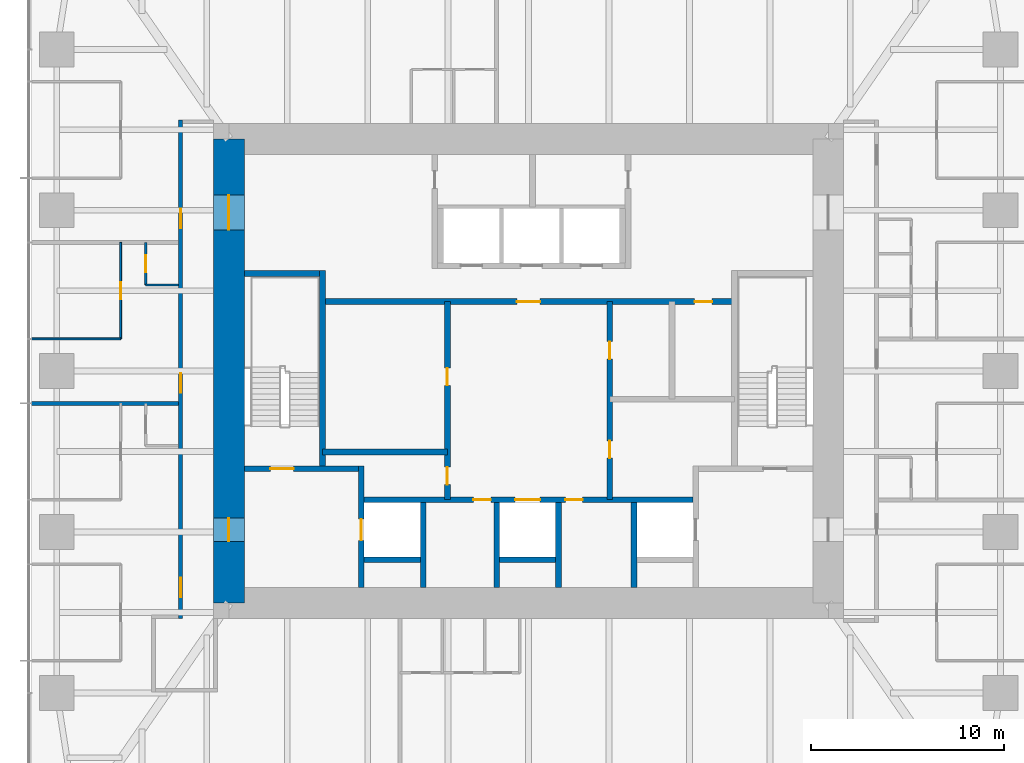
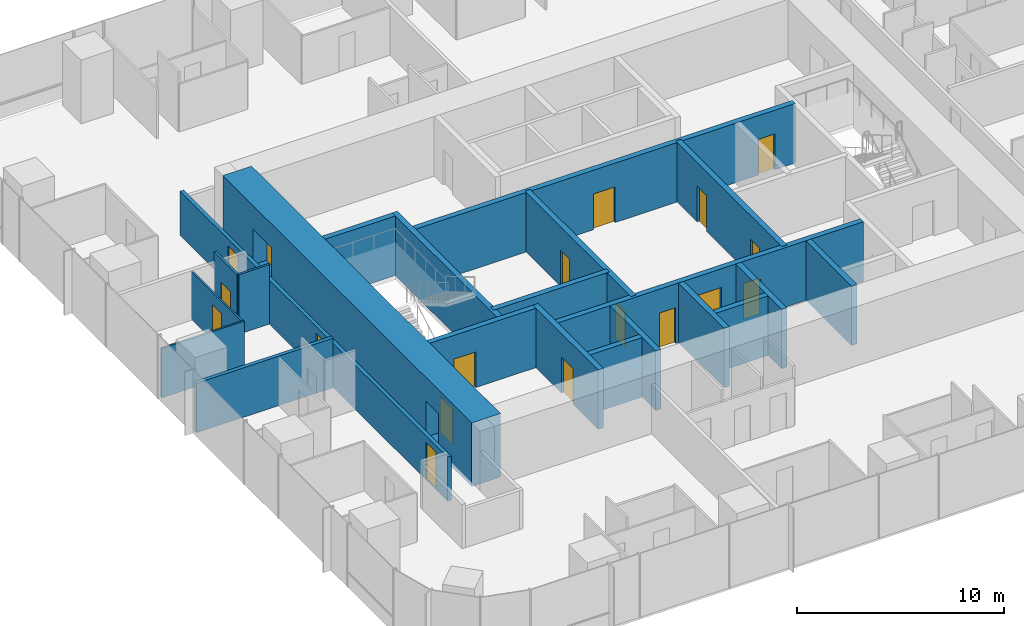
# One storey, part 9 of 13: 22 walls, 18 doors, 18 openings.
"""IFC4 building model written with IfcOpenShell, lengths in metres."""

import ifcopenshell
import ifcopenshell.guid

model = None  # the IFC model being written
_history = None  # IfcOwnerHistory: only IFC2X3 demands one
_inside = {}  # id of a spatial element -> (the spatial element, [elements in it])
_under = {}  # id of a project, library or spatial element -> (it, [spatial elements below it])
_declared = {}  # id of a project -> (the project, [libraries it declares])
_typed = {}  # id of a type object -> (the type object, [elements of that type])
_made_of = {}  # id of a material, layer set ... -> (it, [elements and type objects made of it])


def new_model(schema):
    """Start an empty IFC model of exactly this schema.

    Asked for "IFC4X3", IfcOpenShell would pick the latest addendum, in which some entities
    have other attributes; the version numbers below select the first issue.
    IFC2X3 requires an IfcOwnerHistory on every rooted entity: one is made here for all.
    """
    global model, _history
    if schema == "IFC4X3":
        model = ifcopenshell.file(schema_version=(4, 3, 0, 0))
    else:
        model = ifcopenshell.file(schema=schema)
    _inside.clear()
    _under.clear()
    _declared.clear()
    _typed.clear()
    _made_of.clear()
    _history = None
    if model.schema == "IFC2X3":
        org = make("IfcOrganization", Name="unknown")
        user = make(
            "IfcPersonAndOrganization",
            ThePerson=make("IfcPerson", FamilyName="unknown"),
            TheOrganization=org,
        )
        app = make(
            "IfcApplication",
            ApplicationDeveloper=org,
            Version="unknown",
            ApplicationFullName="unknown",
            ApplicationIdentifier="unknown",
        )
        _history = make(
            "IfcOwnerHistory",
            OwningUser=user,
            OwningApplication=app,
            ChangeAction="ADDED",
            CreationDate=0,
        )
    return model


def make(cls, **values):
    """One entity of the class cls with the attributes given. An attribute that is None is left unset."""
    return model.create_entity(
        cls, **{name: value for name, value in values.items() if value is not None}
    )


def rooted(cls, **values):
    """An entity with a GlobalId (a new one), such as an element, a storey or a relation."""
    return make(cls, GlobalId=ifcopenshell.guid.new(), OwnerHistory=_history, **values)


def si_unit(unit_type, name, prefix=None):
    """IfcSIUnit, for example si_unit("LENGTHUNIT", "METRE", prefix="MILLI")."""
    return make("IfcSIUnit", UnitType=unit_type, Prefix=prefix, Name=name)


def assignment(units):
    """IfcUnitAssignment: the units of a project."""
    return None if units is None else make("IfcUnitAssignment", Units=units)


def point(xyz):
    """IfcCartesianPoint."""
    return None if xyz is None else make("IfcCartesianPoint", Coordinates=xyz)


def direction(xyz):
    """IfcDirection."""
    return None if xyz is None else make("IfcDirection", DirectionRatios=xyz)


def frame(location, z_axis=None, x_axis=None):
    """IfcAxis2Placement3D, a coordinate frame: its origin and axes. An axis left out is left unset."""
    return make(
        "IfcAxis2Placement3D",
        Location=point(location),
        Axis=direction(z_axis),
        RefDirection=direction(x_axis),
    )


def frame_2d(location, x_axis=None):
    """IfcAxis2Placement2D, a coordinate frame in the plane: its origin and x axis."""
    return make(
        "IfcAxis2Placement2D", Location=point(location), RefDirection=direction(x_axis)
    )


def origin():
    """The frame at (0, 0, 0) with its axes left unset."""
    return frame((0.0, 0.0, 0.0))


def place(relative_to, where):
    """IfcLocalPlacement: puts the frame where relative to a parent placement (None: the world)."""
    return make(
        "IfcLocalPlacement", PlacementRelTo=relative_to, RelativePlacement=where
    )


def context(
    kind, dimensions, precision=None, world=None, true_north=None, identifier=None
):
    """IfcGeometricRepresentationContext, for example the 3D "Model" context."""
    return make(
        "IfcGeometricRepresentationContext",
        ContextIdentifier=identifier,
        ContextType=kind,
        CoordinateSpaceDimension=dimensions,
        Precision=precision,
        WorldCoordinateSystem=world,
        TrueNorth=true_north,
    )


def subcontext(parent, identifier, kind, view, scale=None):
    """IfcGeometricRepresentationSubContext, for example "Body" below "Model"."""
    return make(
        "IfcGeometricRepresentationSubContext",
        ContextIdentifier=identifier,
        ContextType=kind,
        ParentContext=parent,
        TargetScale=scale,
        TargetView=view,
    )


def project(units=None, contexts=None):
    """IfcProject with its units and contexts."""
    return rooted(
        "IfcProject",
        Name="project",
        RepresentationContexts=contexts,
        UnitsInContext=assignment(units),
    )


def spatial(cls, under=None, at=None, **own):
    """A site, building, storey or space (cls), placed at a placement, below another one or the project."""
    s = rooted(cls, ObjectPlacement=at, **own)
    if under is not None:
        _under.setdefault(under.id(), (under, []))[1].append(s)
    return s


def profile(cls, at=None, kind="AREA", **sizes):
    """A parametric profile (cls). Its sizes go by their IFC names, for example OverallWidth=200.0."""
    return make(cls, ProfileType=kind, Position=at, **sizes)


def rectangle(**sizes):
    """IfcRectangleProfileDef."""
    return profile("IfcRectangleProfileDef", **sizes)


def extrude(swept, where, along, depth):
    """IfcExtrudedAreaSolid: the profile swept, set in the frame where, extruded along a direction by depth."""
    return make(
        "IfcExtrudedAreaSolid",
        SweptArea=swept,
        Position=where,
        ExtrudedDirection=direction(along),
        Depth=depth,
    )


def shape(context_of_items, identifier, shape_type, items):
    """IfcShapeRepresentation: the items that make up one representation, for example the "Body"."""
    return make(
        "IfcShapeRepresentation",
        ContextOfItems=context_of_items,
        RepresentationIdentifier=identifier,
        RepresentationType=shape_type,
        Items=items,
    )


def material(Name=None, Category=None):
    """IfcMaterial."""
    return make("IfcMaterial", Name=Name, Category=Category)


def layer(
    of_material, thickness, ventilated=None, Name=None, Category=None, Priority=None
):
    """IfcMaterialLayer: one layer of a wall or slab, of a material (None: an air gap)."""
    return make(
        "IfcMaterialLayer",
        Material=of_material,
        LayerThickness=thickness,
        IsVentilated=ventilated,
        Name=Name,
        Category=Category,
        Priority=Priority,
    )


def layer_set(layers, Name=None):
    """IfcMaterialLayerSet."""
    return make("IfcMaterialLayerSet", MaterialLayers=layers, LayerSetName=Name)


def made_of(thing, what):
    """Note that an element or type object is made of a material, layer set ...; save() writes the relation."""
    if what is not None:
        _made_of.setdefault(what.id(), (what, []))[1].append(thing)
    return thing


def type_object(cls, material=None, **own):
    """A type object (cls), such as IfcWallType, which elements share."""
    return made_of(rooted(cls, **own), material)


def element(
    cls,
    number,
    at=None,
    inside=None,
    cuts=None,
    type_object=None,
    material=None,
    context=None,
    identifier="Body",
    shape_type=None,
    held_by="IfcProductDefinitionShape",
    body=None,
    shapes=None,
    **own,
):
    """One element of the class cls, such as IfcWall. Its Tag is "e" and its number.

    at: its placement. inside: the storey or other place that contains it. cuts: it is an
    opening in that element (IfcRelVoidsElement). A single representation is given by context,
    identifier, shape_type and body (its items); several are given by shapes. held_by: the class
    of the entity that holds the representations. save() writes the other relations.
    """
    e = rooted(cls, Tag="e%d" % number, ObjectPlacement=at, **own)
    if body is not None:
        shapes = [shape(context, identifier, shape_type, body)]
    if shapes is not None:
        e.Representation = make(held_by, Representations=shapes)
    if inside is not None:
        _inside.setdefault(inside.id(), (inside, []))[1].append(e)
    if cuts is not None:
        rooted(
            "IfcRelVoidsElement", RelatingBuildingElement=cuts, RelatedOpeningElement=e
        )
    if type_object is not None:
        _typed.setdefault(type_object.id(), (type_object, []))[1].append(e)
    return made_of(e, material)


def fill(opening, filler):
    """IfcRelFillsElement: the door or window that sits in an opening."""
    return rooted(
        "IfcRelFillsElement",
        RelatingOpeningElement=opening,
        RelatedBuildingElement=filler,
    )


def aggregate(whole, parts):
    """IfcRelAggregates: a whole, such as a stair, and the parts it consists of."""
    return rooted("IfcRelAggregates", RelatingObject=whole, RelatedObjects=parts)


def save(model, path):
    """Write the relations noted so far, then the file.

    IfcRelAggregates (storeys below a building ...), IfcRelContainedInSpatialStructure (elements
    in a storey), IfcRelDefinesByType, IfcRelAssociatesMaterial and IfcRelDeclares: one each for
    every whole, place, type object, material and project.
    """
    for whole, parts in _under.values():
        aggregate(whole, parts)
    for where, things in _inside.values():
        rooted(
            "IfcRelContainedInSpatialStructure",
            RelatedElements=things,
            RelatingStructure=where,
        )
    for kind, things in _typed.values():
        rooted("IfcRelDefinesByType", RelatedObjects=things, RelatingType=kind)
    for what, things in _made_of.values():
        rooted("IfcRelAssociatesMaterial", RelatedObjects=things, RelatingMaterial=what)
    for by, libraries in _declared.values():
        rooted("IfcRelDeclares", RelatingContext=by, RelatedDefinitions=libraries)
    model.write(path)


model = new_model("IFC4")

# Units and contexts
model_context = context("Model", 3, precision=1e-05, world=origin(), true_north=direction((0.0, 1.0)))
body_context = subcontext(model_context, "Body", "Model", "MODEL_VIEW")
ifc_project = project(units=[si_unit("LENGTHUNIT", "METRE"), si_unit("AREAUNIT", "SQUARE_METRE"), si_unit("VOLUMEUNIT", "CUBIC_METRE"), si_unit("PLANEANGLEUNIT", "RADIAN"), si_unit("MASSUNIT", "GRAM", prefix="KILO")], contexts=[model_context])

# Site, building, storey
site_placement = place(None, origin())
site = spatial("IfcSite", under=ifc_project, at=site_placement, CompositionType="ELEMENT")
building_placement = place(site_placement, origin())
building = spatial("IfcBuilding", under=site, at=building_placement, Name="Khuree Lantern Residences", CompositionType="ELEMENT")
storey_placement = place(building_placement, frame((0.0, 0.0, 259.5)))
storey = spatial("IfcBuildingStorey", under=building, at=storey_placement, Name="L65", CompositionType="ELEMENT", Elevation=259.5)

# Wall, opening, door
ifc_material_1 = material(Name="Moisture-resistant gypsum board on steel studs", Category="steel")
ifc_layer_1 = layer(ifc_material_1, 0.125)
ifc_layer_set_1 = layer_set([ifc_layer_1], Name="BATHROOM WALL BTW125")
wall_type_1 = type_object("IfcWallType", Name="BATHROOM WALL BTW125", PredefinedType="PARTITIONING", material=ifc_layer_set_1)
wall_1_placement = place(storey_placement, frame((-19.800048828125, 6.656005859375, 0.0), z_axis=(0.0, 0.0, 1.0), x_axis=(0.0, -1.0, 0.0)))
wall_1 = element("IfcWall", 1, at=wall_1_placement, inside=storey, type_object=wall_type_1, Name="L65 BATHROOM WALL 04", PredefinedType="PARTITIONING", context=body_context, shape_type="SweptSolid", body=[
    extrude(rectangle(XDim=2.199951171875, YDim=0.125, at=frame_2d((1.10009765625, 0.0))), origin(), (0.0, 0.0, 1.0), 3.5),
])
opening_1_placement = place(wall_1_placement, frame((0.64990234375, 0.0, 0.0)))
opening_1 = element("IfcOpeningElement", 2, at=opening_1_placement, cuts=wall_1, Name="Opening 65-044", PredefinedType="OPENING", context=body_context, shape_type="SweptSolid", body=[
    extrude(rectangle(XDim=0.89990234375, YDim=2.10009765625, at=frame_2d((0.449951171875, 1.050048828125))), frame((0.0, 0.072509765625, 0.0), z_axis=(0.0, -1.0, 0.0), x_axis=(1.0, 0.0, 0.0)), (0.0, 0.0, 1.0), 0.14501953125),
])
ifc_material_2 = material(Name="Timber door leaf in hardwood frame", Category="wood")
door_type_1 = type_object("IfcDoorType", Name="BATHROOM DOOR 900X2100", OperationType="SINGLE_SWING_LEFT", PredefinedType="DOOR", material=ifc_material_2)
door_1_placement = place(opening_1_placement, origin())
door_1 = element("IfcDoor", 3, at=door_1_placement, inside=storey, type_object=door_type_1, Name="Bathroom door 65-044", OperationType="SINGLE_SWING_LEFT", OverallHeight=2.10009765625, OverallWidth=0.89990234375, PredefinedType="DOOR", context=body_context, shape_type="SweptSolid", body=[
    extrude(rectangle(XDim=0.89990234375, YDim=2.10009765625, at=frame_2d((0.449951171875, 1.050048828125))), frame((0.0, 0.02490234375, 0.0), z_axis=(0.0, -1.0, 0.0), x_axis=(1.0, 0.0, 0.0)), (0.0, 0.0, 1.0), 0.050048828125),
])
fill(opening_1, door_1)

# Wall
wall_2_placement = place(storey_placement, frame((-18.10009765625, 4.4560546875, 0.0), z_axis=(0.0, 0.0, 1.0), x_axis=(-1.0, 0.0, 0.0)))
element("IfcWall", 4, at=wall_2_placement, inside=storey, type_object=wall_type_1, Name="L65 BATHROOM WALL 04", PredefinedType="PARTITIONING", context=body_context, shape_type="SweptSolid", body=[
    extrude(rectangle(XDim=1.699951171875, YDim=0.125, at=frame_2d((0.85009765625, 0.0))), origin(), (0.0, 0.0, 1.0), 3.5),
])

# Wall, opening, door
ifc_material_3 = material(Name="Dense concrete blockwork", Category="masonry")
ifc_layer_2 = layer(ifc_material_3, 0.300048828125)
ifc_layer_set_2 = layer_set([ifc_layer_2], Name="CORE PARTITION WALL CPW300 EI 120")
wall_type_2 = type_object("IfcWallType", Name="CORE PARTITION WALL CPW300 EI 120", PredefinedType="PARTITIONING", material=ifc_layer_set_2)
wall_3_placement = place(storey_placement, frame((-8.64990234375, -11.199951171875, 0.0), z_axis=(0.0, 0.0, 1.0), x_axis=(0.0, 1.0, 0.0)))
wall_3 = element("IfcWall", 5, at=wall_3_placement, inside=storey, type_object=wall_type_2, Name="L65 CORE WALL FL1W", PredefinedType="PARTITIONING", context=body_context, shape_type="SweptSolid", body=[
    extrude(rectangle(XDim=6.300048828125, YDim=0.300048828125, at=frame_2d((3.14990234375, 0.0))), origin(), (0.0, 0.0, 1.0), 3.5),
])
opening_2_placement = place(wall_3_placement, frame((2.449951171875, 0.0, 0.0)))
opening_2 = element("IfcOpeningElement", 6, at=opening_2_placement, cuts=wall_3, Name="Opening 65-007", PredefinedType="OPENING", context=body_context, shape_type="SweptSolid", body=[
    extrude(rectangle(XDim=1.10009765625, YDim=2.10009765625, at=frame_2d((0.550048828125, 1.050048828125))), frame((0.0, 0.16015625, 0.0), z_axis=(0.0, -1.0, 0.0), x_axis=(1.0, 0.0, 0.0)), (0.0, 0.0, 1.0), 0.320068359375),
])
ifc_material_4 = material(Name="Stainless steel lift landing door", Category="steel")
door_type_2 = type_object("IfcDoorType", Name="LIFT LANDING DOOR 1100X2100 E 120", OperationType="DOUBLE_DOOR_SLIDING", PredefinedType="DOOR", material=ifc_material_4)
door_2_placement = place(opening_2_placement, origin())
door_2 = element("IfcDoor", 7, at=door_2_placement, inside=storey, type_object=door_type_2, Name="Landing door FL1 65-007", OperationType="DOUBLE_DOOR_SLIDING", OverallHeight=2.10009765625, OverallWidth=1.10009765625, PredefinedType="DOOR", context=body_context, shape_type="SweptSolid", body=[
    extrude(rectangle(XDim=1.10009765625, YDim=2.10009765625, at=frame_2d((0.550048828125, 1.050048828125))), frame((0.0, 0.02490234375, 0.0), z_axis=(0.0, -1.0, 0.0), x_axis=(1.0, 0.0, 0.0)), (0.0, 0.0, 1.0), 0.050048828125),
])
fill(opening_2, door_2)

# Wall, openings, doors
wall_4_placement = place(storey_placement, frame((-8.5, -6.64990234375, 0.0), z_axis=(0.0, 0.0, 1.0), x_axis=(1.0, 0.0, 0.0)))
wall_4 = element("IfcWall", 8, at=wall_4_placement, inside=storey, type_object=wall_type_2, Name="L65 CORE WALL FLROW", PredefinedType="PARTITIONING", context=body_context, shape_type="SweptSolid", body=[
    extrude(rectangle(XDim=17.0, YDim=0.300048828125, at=frame_2d((8.5, 0.0))), origin(), (0.0, 0.0, 1.0), 3.5),
])
opening_3_placement = place(wall_4_placement, frame((7.800048828125, 0.0, 0.0)))
opening_3 = element("IfcOpeningElement", 9, at=opening_3_placement, cuts=wall_4, Name="Opening 65-012", PredefinedType="OPENING", context=body_context, shape_type="SweptSolid", body=[
    extrude(rectangle(XDim=1.300048828125, YDim=2.39990234375, at=frame_2d((0.64990234375, 1.199951171875))), frame((0.0, 0.16015625, 0.0), z_axis=(0.0, -1.0, 0.0), x_axis=(1.0, 0.0, 0.0)), (0.0, 0.0, 1.0), 0.320068359375),
])
opening_4_placement = place(wall_4_placement, frame((5.64990234375, 0.0, 0.0)))
opening_4 = element("IfcOpeningElement", 10, at=opening_4_placement, cuts=wall_4, Name="Opening 65-014", PredefinedType="OPENING", context=body_context, shape_type="SweptSolid", body=[
    extrude(rectangle(XDim=0.89990234375, YDim=2.10009765625, at=frame_2d((0.449951171875, 1.050048828125))), frame((0.0, 0.16015625, 0.0), z_axis=(0.0, -1.0, 0.0), x_axis=(1.0, 0.0, 0.0)), (0.0, 0.0, 1.0), 0.320068359375),
])
opening_5_placement = place(wall_4_placement, frame((10.39990234375, 0.0, 0.0)))
opening_5 = element("IfcOpeningElement", 11, at=opening_5_placement, cuts=wall_4, Name="Opening 65-015", PredefinedType="OPENING", context=body_context, shape_type="SweptSolid", body=[
    extrude(rectangle(XDim=0.89990234375, YDim=2.10009765625, at=frame_2d((0.449951171875, 1.050048828125))), frame((0.0, 0.16015625, 0.0), z_axis=(0.0, -1.0, 0.0), x_axis=(1.0, 0.0, 0.0)), (0.0, 0.0, 1.0), 0.320068359375),
])
ifc_material_5 = material(Name="Steel door leaf in steel frame", Category="steel")
door_type_3 = type_object("IfcDoorType", Name="DOOR 900X2100 EI 60", OperationType="SINGLE_SWING_LEFT", PredefinedType="DOOR", material=ifc_material_5)
door_3_placement = place(opening_4_placement, origin())
door_3 = element("IfcDoor", 12, at=door_3_placement, inside=storey, type_object=door_type_3, Name="Refuse chute room door 65-014", OperationType="SINGLE_SWING_LEFT", OverallHeight=2.10009765625, OverallWidth=0.89990234375, PredefinedType="DOOR", context=body_context, shape_type="SweptSolid", body=[
    extrude(rectangle(XDim=0.89990234375, YDim=2.10009765625, at=frame_2d((0.449951171875, 1.050048828125))), frame((0.0, 0.02490234375, 0.0), z_axis=(0.0, -1.0, 0.0), x_axis=(1.0, 0.0, 0.0)), (0.0, 0.0, 1.0), 0.050048828125),
])
fill(opening_4, door_3)
door_type_4 = type_object("IfcDoorType", Name="DOOR 900X2100 EI 60 RIGHT HAND", OperationType="SINGLE_SWING_RIGHT", PredefinedType="DOOR", material=ifc_material_5)
door_4_placement = place(opening_5_placement, origin())
door_4 = element("IfcDoor", 13, at=door_4_placement, inside=storey, type_object=door_type_4, Name="Electrical and plumbing riser door 65-015", OperationType="SINGLE_SWING_RIGHT", OverallHeight=2.10009765625, OverallWidth=0.89990234375, PredefinedType="DOOR", context=body_context, shape_type="SweptSolid", body=[
    extrude(rectangle(XDim=0.89990234375, YDim=2.10009765625, at=frame_2d((0.449951171875, 1.050048828125))), frame((0.0, 0.02490234375, 0.0), z_axis=(0.0, -1.0, 0.0), x_axis=(1.0, 0.0, 0.0)), (0.0, 0.0, 1.0), 0.050048828125),
])
fill(opening_5, door_4)
door_type_5 = type_object("IfcDoorType", Name="LIFT LANDING DOOR 1300X2400 E 60", OperationType="DOUBLE_DOOR_SLIDING", PredefinedType="DOOR", material=ifc_material_4)
door_5_placement = place(opening_3_placement, origin())
door_5 = element("IfcDoor", 14, at=door_5_placement, inside=storey, type_object=door_type_5, Name="Landing door SL1 65-012", OperationType="DOUBLE_DOOR_SLIDING", OverallHeight=2.39990234375, OverallWidth=1.300048828125, PredefinedType="DOOR", context=body_context, shape_type="SweptSolid", body=[
    extrude(rectangle(XDim=1.300048828125, YDim=2.39990234375, at=frame_2d((0.64990234375, 1.199951171875))), frame((0.0, 0.02490234375, 0.0), z_axis=(0.0, -1.0, 0.0), x_axis=(1.0, 0.0, 0.0)), (0.0, 0.0, 1.0), 0.050048828125),
])
fill(opening_3, door_5)

# Walls
for number, where, z_axis, x_axis, name in (
    (15, (-5.449951171875, -11.199951171875, 0.0), (0.0, 0.0, 1.0), (0.0, 1.0, 0.0), "L65 CORE WALL FL1E"),
    (16, (-1.64990234375, -11.199951171875, 0.0), (0.0, 0.0, 1.0), (0.0, 1.0, 0.0), "L65 CORE WALL SL1W"),
    (17, (1.550048828125, -11.199951171875, 0.0), (0.0, 0.0, 1.0), (0.0, 1.0, 0.0), "L65 CORE WALL SL1E"),
    (18, (5.449951171875, -11.199951171875, 0.0), (0.0, 0.0, 1.0), (0.0, 1.0, 0.0), "L65 CORE WALL FL2W"),
):
    element("IfcWall", number, at=place(storey_placement, frame(where, z_axis=z_axis, x_axis=x_axis)), inside=storey, type_object=wall_type_2, Name=name, PredefinedType="PARTITIONING", context=body_context, shape_type="SweptSolid", body=[
        extrude(rectangle(XDim=4.39990234375, YDim=0.300048828125, at=frame_2d((2.199951171875, 0.0))), origin(), (0.0, 0.0, 1.0), 3.5),
    ])
for number, where, z_axis, x_axis, name in (
    (19, (-8.5, -9.75, 0.0), (0.0, 0.0, 1.0), (1.0, 0.0, 0.0), "L65 CORE WALL FL1S"),
    (20, (-1.5, -9.75, 0.0), (0.0, 0.0, 1.0), (1.0, 0.0, 0.0), "L65 CORE WALL SL1S"),
):
    element("IfcWall", number, at=place(storey_placement, frame(where, z_axis=z_axis, x_axis=x_axis)), inside=storey, type_object=wall_type_2, Name=name, PredefinedType="PARTITIONING", context=body_context, shape_type="SweptSolid", body=[
        extrude(rectangle(XDim=2.89990234375, YDim=0.300048828125, at=frame_2d((1.449951171875, 0.0))), origin(), (0.0, 0.0, 1.0), 3.5),
    ])

# Wall, openings, doors
wall_5_placement = place(storey_placement, frame((-10.64990234375, 3.60009765625, 0.0), z_axis=(0.0, 0.0, 1.0), x_axis=(1.0, 0.0, 0.0)))
wall_5 = element("IfcWall", 21, at=wall_5_placement, inside=storey, type_object=wall_type_2, Name="L65 CORE WALL LLS", PredefinedType="PARTITIONING", context=body_context, shape_type="SweptSolid", body=[
    extrude(rectangle(XDim=21.2998046875, YDim=0.300048828125, at=frame_2d((10.64990234375, 0.0))), origin(), (0.0, 0.0, 1.0), 3.5),
])
opening_6_placement = place(wall_5_placement, frame((10.050048828125, 0.0, 0.0)))
opening_6 = element("IfcOpeningElement", 22, at=opening_6_placement, cuts=wall_5, Name="Opening 65-013", PredefinedType="OPENING", context=body_context, shape_type="SweptSolid", body=[
    extrude(rectangle(XDim=1.199951171875, YDim=2.10009765625, at=frame_2d((0.60009765625, 1.050048828125))), frame((0.0, 0.16015625, 0.0), z_axis=(0.0, -1.0, 0.0), x_axis=(1.0, 0.0, 0.0)), (0.0, 0.0, 1.0), 0.320068359375),
])
opening_7_placement = place(wall_5_placement, frame((19.238037109375, 0.0, 0.0)))
opening_7 = element("IfcOpeningElement", 23, at=opening_7_placement, cuts=wall_5, Name="Opening 65-020", PredefinedType="OPENING", context=body_context, shape_type="SweptSolid", body=[
    extrude(rectangle(XDim=0.89990234375, YDim=2.10009765625, at=frame_2d((0.449951171875, 1.050048828125))), frame((0.0, 0.16015625, 0.0), z_axis=(0.0, -1.0, 0.0), x_axis=(1.0, 0.0, 0.0)), (0.0, 0.0, 1.0), 0.320068359375),
])
door_type_6 = type_object("IfcDoorType", Name="DOOR 1200X2100 EI 60", OperationType="SINGLE_SWING_LEFT", PredefinedType="DOOR", material=ifc_material_5)
door_6_placement = place(opening_6_placement, origin())
door_6 = element("IfcDoor", 24, at=door_6_placement, inside=storey, type_object=door_type_6, Name="Service lift lobby door 65-013", OperationType="SINGLE_SWING_LEFT", OverallHeight=2.10009765625, OverallWidth=1.199951171875, PredefinedType="DOOR", context=body_context, shape_type="SweptSolid", body=[
    extrude(rectangle(XDim=1.199951171875, YDim=2.10009765625, at=frame_2d((0.60009765625, 1.050048828125))), frame((0.0, 0.02490234375, 0.0), z_axis=(0.0, -1.0, 0.0), x_axis=(1.0, 0.0, 0.0)), (0.0, 0.0, 1.0), 0.050048828125),
])
fill(opening_6, door_6)
door_type_7 = type_object("IfcDoorType", Name="DOOR 900X2100 RIGHT HAND", OperationType="SINGLE_SWING_RIGHT", PredefinedType="DOOR", material=ifc_material_2)
door_7_placement = place(opening_7_placement, origin())
door_7 = element("IfcDoor", 25, at=door_7_placement, inside=storey, type_object=door_type_7, Name="Housekeeping store door 65-020", OperationType="SINGLE_SWING_RIGHT", OverallHeight=2.10009765625, OverallWidth=0.89990234375, PredefinedType="DOOR", context=body_context, shape_type="SweptSolid", body=[
    extrude(rectangle(XDim=0.89990234375, YDim=2.10009765625, at=frame_2d((0.449951171875, 1.050048828125))), frame((0.0, 0.02490234375, 0.0), z_axis=(0.0, -1.0, 0.0), x_axis=(1.0, 0.0, 0.0)), (0.0, 0.0, 1.0), 0.050048828125),
])
fill(opening_7, door_7)

wall_6_placement = place(storey_placement, frame((-4.199951171875, -6.64990234375, 0.0), z_axis=(0.0, 0.0, 1.0), x_axis=(0.0, 1.0, 0.0)))
wall_6 = element("IfcWall", 26, at=wall_6_placement, inside=storey, type_object=wall_type_2, Name="L65 CORE WALL SVW", PredefinedType="PARTITIONING", context=body_context, shape_type="SweptSolid", body=[
    extrude(rectangle(XDim=10.25, YDim=0.300048828125, at=frame_2d((5.125, 0.0))), origin(), (0.0, 0.0, 1.0), 3.5),
])
opening_8_placement = place(wall_6_placement, frame((0.787109375, 0.0, 0.0)))
opening_8 = element("IfcOpeningElement", 27, at=opening_8_placement, cuts=wall_6, Name="Opening 65-016", PredefinedType="OPENING", context=body_context, shape_type="SweptSolid", body=[
    extrude(rectangle(XDim=0.89990234375, YDim=2.10009765625, at=frame_2d((0.449951171875, 1.050048828125))), frame((0.0, 0.16015625, 0.0), z_axis=(0.0, -1.0, 0.0), x_axis=(1.0, 0.0, 0.0)), (0.0, 0.0, 1.0), 0.320068359375),
])
opening_9_placement = place(wall_6_placement, frame((5.912109375, 0.0, 0.0)))
opening_9 = element("IfcOpeningElement", 28, at=opening_9_placement, cuts=wall_6, Name="Opening 65-017", PredefinedType="OPENING", context=body_context, shape_type="SweptSolid", body=[
    extrude(rectangle(XDim=0.89990234375, YDim=2.10009765625, at=frame_2d((0.449951171875, 1.050048828125))), frame((0.0, 0.16015625, 0.0), z_axis=(0.0, -1.0, 0.0), x_axis=(1.0, 0.0, 0.0)), (0.0, 0.0, 1.0), 0.320068359375),
])
door_type_8 = type_object("IfcDoorType", Name="DOOR 900X2100", OperationType="SINGLE_SWING_LEFT", PredefinedType="DOOR", material=ifc_material_2)
door_8_placement = place(opening_8_placement, origin())
door_8 = element("IfcDoor", 29, at=door_8_placement, inside=storey, type_object=door_type_8, Name="Building management room door 65-016", OperationType="SINGLE_SWING_LEFT", OverallHeight=2.10009765625, OverallWidth=0.89990234375, PredefinedType="DOOR", context=body_context, shape_type="SweptSolid", body=[
    extrude(rectangle(XDim=0.89990234375, YDim=2.10009765625, at=frame_2d((0.449951171875, 1.050048828125))), frame((0.0, 0.02490234375, 0.0), z_axis=(0.0, -1.0, 0.0), x_axis=(1.0, 0.0, 0.0)), (0.0, 0.0, 1.0), 0.050048828125),
])
fill(opening_8, door_8)
door_9_placement = place(opening_9_placement, origin())
door_9 = element("IfcDoor", 30, at=door_9_placement, inside=storey, type_object=door_type_8, Name="Residents' store door 65-017", OperationType="SINGLE_SWING_LEFT", OverallHeight=2.10009765625, OverallWidth=0.89990234375, PredefinedType="DOOR", context=body_context, shape_type="SweptSolid", body=[
    extrude(rectangle(XDim=0.89990234375, YDim=2.10009765625, at=frame_2d((0.449951171875, 1.050048828125))), frame((0.0, 0.02490234375, 0.0), z_axis=(0.0, -1.0, 0.0), x_axis=(1.0, 0.0, 0.0)), (0.0, 0.0, 1.0), 0.050048828125),
])
fill(opening_9, door_9)

wall_7_placement = place(storey_placement, frame((4.199951171875, -6.64990234375, 0.0), z_axis=(0.0, 0.0, 1.0), x_axis=(0.0, 1.0, 0.0)))
wall_7 = element("IfcWall", 31, at=wall_7_placement, inside=storey, type_object=wall_type_2, Name="L65 CORE WALL SVE", PredefinedType="PARTITIONING", context=body_context, shape_type="SweptSolid", body=[
    extrude(rectangle(XDim=10.25, YDim=0.300048828125, at=frame_2d((5.125, 0.0))), origin(), (0.0, 0.0, 1.0), 3.5),
])
opening_10_placement = place(wall_7_placement, frame((2.14990234375, 0.0, 0.0)))
opening_10 = element("IfcOpeningElement", 32, at=opening_10_placement, cuts=wall_7, Name="Opening 65-018", PredefinedType="OPENING", context=body_context, shape_type="SweptSolid", body=[
    extrude(rectangle(XDim=0.89990234375, YDim=2.10009765625, at=frame_2d((0.449951171875, 1.050048828125))), frame((0.0, 0.16015625, 0.0), z_axis=(0.0, -1.0, 0.0), x_axis=(1.0, 0.0, 0.0)), (0.0, 0.0, 1.0), 0.320068359375),
])
opening_11_placement = place(wall_7_placement, frame((7.27490234375, 0.0, 0.0)))
opening_11 = element("IfcOpeningElement", 33, at=opening_11_placement, cuts=wall_7, Name="Opening 65-019", PredefinedType="OPENING", context=body_context, shape_type="SweptSolid", body=[
    extrude(rectangle(XDim=0.89990234375, YDim=2.10009765625, at=frame_2d((0.449951171875, 1.050048828125))), frame((0.0, 0.16015625, 0.0), z_axis=(0.0, -1.0, 0.0), x_axis=(1.0, 0.0, 0.0)), (0.0, 0.0, 1.0), 0.320068359375),
])
door_10_placement = place(opening_10_placement, origin())
door_10 = element("IfcDoor", 34, at=door_10_placement, inside=storey, type_object=door_type_8, Name="Residents' store door 65-018", OperationType="SINGLE_SWING_LEFT", OverallHeight=2.10009765625, OverallWidth=0.89990234375, PredefinedType="DOOR", context=body_context, shape_type="SweptSolid", body=[
    extrude(rectangle(XDim=0.89990234375, YDim=2.10009765625, at=frame_2d((0.449951171875, 1.050048828125))), frame((0.0, 0.02490234375, 0.0), z_axis=(0.0, -1.0, 0.0), x_axis=(1.0, 0.0, 0.0)), (0.0, 0.0, 1.0), 0.050048828125),
])
fill(opening_10, door_10)
door_11_placement = place(opening_11_placement, origin())
door_11 = element("IfcDoor", 35, at=door_11_placement, inside=storey, type_object=door_type_7, Name="Refuse holding room door 65-019", OperationType="SINGLE_SWING_RIGHT", OverallHeight=2.10009765625, OverallWidth=0.89990234375, PredefinedType="DOOR", context=body_context, shape_type="SweptSolid", body=[
    extrude(rectangle(XDim=0.89990234375, YDim=2.10009765625, at=frame_2d((0.449951171875, 1.050048828125))), frame((0.0, 0.02490234375, 0.0), z_axis=(0.0, -1.0, 0.0), x_axis=(1.0, 0.0, 0.0)), (0.0, 0.0, 1.0), 0.050048828125),
])
fill(opening_11, door_11)

# Wall
wall_8_placement = place(storey_placement, frame((-10.64990234375, -4.177001953125, 0.0), z_axis=(0.0, 0.0, 1.0), x_axis=(1.0, 0.0, 0.0)))
element("IfcWall", 36, at=wall_8_placement, inside=storey, type_object=wall_type_2, Name="L65 CORE WALL WX", PredefinedType="PARTITIONING", context=body_context, shape_type="SweptSolid", body=[
    extrude(rectangle(XDim=6.449951171875, YDim=0.300048828125, at=frame_2d((3.22509765625, 0.0))), origin(), (0.0, 0.0, 1.0), 3.5),
])

# Wall, openings, doors
ifc_material_6 = material(Name="Gypsum board on steel studs", Category="steel")
ifc_layer_3 = layer(ifc_material_6, 0.199951171875)
ifc_layer_set_3 = layer_set([ifc_layer_3], Name="CORRIDOR WALL CRW200 EI 60")
wall_type_3 = type_object("IfcWallType", Name="CORRIDOR WALL CRW200 EI 60", PredefinedType="PARTITIONING", material=ifc_layer_set_3)
wall_9_placement = place(storey_placement, frame((-18.0, 13.0, 0.0), z_axis=(0.0, 0.0, 1.0), x_axis=(0.0, -1.0, 0.0)))
wall_9 = element("IfcWall", 37, at=wall_9_placement, inside=storey, type_object=wall_type_3, Name="L65 CORRIDOR WALL WEST 1", PredefinedType="PARTITIONING", context=body_context, shape_type="SweptSolid", body=[
    extrude(rectangle(XDim=25.800048828125, YDim=0.199951171875, at=frame_2d((12.89990234375, 0.0))), origin(), (0.0, 0.0, 1.0), 2.60009765625),
])
opening_12_placement = place(wall_9_placement, frame((4.60009765625, 0.0, 0.0)))
opening_12 = element("IfcOpeningElement", 38, at=opening_12_placement, cuts=wall_9, Name="Opening 65-042", PredefinedType="OPENING", context=body_context, shape_type="SweptSolid", body=[
    extrude(rectangle(XDim=1.0, YDim=2.199951171875, at=frame_2d((0.5, 1.10009765625))), frame((0.0, 0.10986328125, 0.0), z_axis=(0.0, -1.0, 0.0), x_axis=(1.0, 0.0, 0.0)), (0.0, 0.0, 1.0), 0.219970703125),
])
opening_13_placement = place(wall_9_placement, frame((13.114013671875, 0.0, 0.0)))
opening_13 = element("IfcOpeningElement", 39, at=opening_13_placement, cuts=wall_9, Name="Opening 65-045", PredefinedType="OPENING", context=body_context, shape_type="SweptSolid", body=[
    extrude(rectangle(XDim=1.0, YDim=2.199951171875, at=frame_2d((0.5, 1.10009765625))), frame((0.0, 0.10986328125, 0.0), z_axis=(0.0, -1.0, 0.0), x_axis=(1.0, 0.0, 0.0)), (0.0, 0.0, 1.0), 0.219970703125),
])
opening_14_placement = place(wall_9_placement, frame((23.68408203125, 0.0, 0.0)))
opening_14 = element("IfcOpeningElement", 40, at=opening_14_placement, cuts=wall_9, Name="Opening 65-051", PredefinedType="OPENING", context=body_context, shape_type="SweptSolid", body=[
    extrude(rectangle(XDim=1.0, YDim=2.199951171875, at=frame_2d((0.5, 1.10009765625))), frame((0.0, 0.10986328125, 0.0), z_axis=(0.0, -1.0, 0.0), x_axis=(1.0, 0.0, 0.0)), (0.0, 0.0, 1.0), 0.219970703125),
])
door_type_9 = type_object("IfcDoorType", Name="APARTMENT ENTRANCE DOOR 1000X2200 EI 30S", OperationType="SINGLE_SWING_LEFT", PredefinedType="DOOR", material=ifc_material_2)
door_12_placement = place(opening_12_placement, origin())
door_12 = element("IfcDoor", 41, at=door_12_placement, inside=storey, type_object=door_type_9, Name="Apartment 03 entrance door 65-042", OperationType="SINGLE_SWING_LEFT", OverallHeight=2.199951171875, OverallWidth=1.0, PredefinedType="DOOR", context=body_context, shape_type="SweptSolid", body=[
    extrude(rectangle(XDim=1.0, YDim=2.199951171875, at=frame_2d((0.5, 1.10009765625))), frame((0.0, 0.02490234375, 0.0), z_axis=(0.0, -1.0, 0.0), x_axis=(1.0, 0.0, 0.0)), (0.0, 0.0, 1.0), 0.050048828125),
])
fill(opening_12, door_12)
door_13_placement = place(opening_13_placement, origin())
door_13 = element("IfcDoor", 42, at=door_13_placement, inside=storey, type_object=door_type_9, Name="Apartment 04 entrance door 65-045", OperationType="SINGLE_SWING_LEFT", OverallHeight=2.199951171875, OverallWidth=1.0, PredefinedType="DOOR", context=body_context, shape_type="SweptSolid", body=[
    extrude(rectangle(XDim=1.0, YDim=2.199951171875, at=frame_2d((0.5, 1.10009765625))), frame((0.0, 0.02490234375, 0.0), z_axis=(0.0, -1.0, 0.0), x_axis=(1.0, 0.0, 0.0)), (0.0, 0.0, 1.0), 0.050048828125),
])
fill(opening_13, door_13)
door_14_placement = place(opening_14_placement, origin())
door_14 = element("IfcDoor", 43, at=door_14_placement, inside=storey, type_object=door_type_9, Name="Apartment 05 entrance door 65-051", OperationType="SINGLE_SWING_LEFT", OverallHeight=2.199951171875, OverallWidth=1.0, PredefinedType="DOOR", context=body_context, shape_type="SweptSolid", body=[
    extrude(rectangle(XDim=1.0, YDim=2.199951171875, at=frame_2d((0.5, 1.10009765625))), frame((0.0, 0.02490234375, 0.0), z_axis=(0.0, -1.0, 0.0), x_axis=(1.0, 0.0, 0.0)), (0.0, 0.0, 1.0), 0.050048828125),
])
fill(opening_14, door_14)

ifc_material_7 = material(Name="Concrete C50/60", Category="concrete")
ifc_layer_4 = layer(ifc_material_7, 1.60009765625)
ifc_layer_set_4 = layer_set([ifc_layer_4], Name="CW1600-C50 CORE WALL C50 1600")
wall_type_4 = type_object("IfcWallType", Name="CW1600-C50 CORE WALL C50 1600", PredefinedType="SHEAR", material=ifc_layer_set_4)
wall_10_placement = place(storey_placement, frame((-15.5, -12.0, -0.25), z_axis=(0.0, 0.0, 1.0), x_axis=(0.0, 1.0, 0.0)))
wall_10 = element("IfcWall", 44, at=wall_10_placement, inside=storey, type_object=wall_type_4, Name="Core wall W", PredefinedType="SHEAR", context=body_context, shape_type="SweptSolid", body=[
    extrude(rectangle(XDim=24.0, YDim=1.60009765625, at=frame_2d((12.0, 0.0))), origin(), (0.0, 0.0, 1.0), 3.75),
])
opening_15_placement = place(wall_10_placement, frame((3.199951171875, 0.0, 0.25)))
opening_15 = element("IfcOpeningElement", 45, at=opening_15_placement, cuts=wall_10, Name="Opening 65-002", PredefinedType="OPENING", context=body_context, shape_type="SweptSolid", body=[
    extrude(rectangle(XDim=1.199951171875, YDim=2.10009765625, at=frame_2d((0.60009765625, 1.050048828125))), frame((0.0, 0.81005859375, 0.0), z_axis=(0.0, -1.0, 0.0), x_axis=(1.0, 0.0, 0.0)), (0.0, 0.0, 1.0), 1.6201171875),
])
opening_16_placement = place(wall_10_placement, frame((19.300048828125, 0.0, 0.25)))
opening_16 = element("IfcOpeningElement", 46, at=opening_16_placement, cuts=wall_10, Name="Opening 65-003", PredefinedType="OPENING", context=body_context, shape_type="SweptSolid", body=[
    extrude(rectangle(XDim=1.800048828125, YDim=2.10009765625, at=frame_2d((0.89990234375, 1.050048828125))), frame((0.0, 0.81005859375, 0.0), z_axis=(0.0, -1.0, 0.0), x_axis=(1.0, 0.0, 0.0)), (0.0, 0.0, 1.0), 1.6201171875),
])
door_type_10 = type_object("IfcDoorType", Name="LOBBY DOOR 1200X2100 EI 120", OperationType="SINGLE_SWING_LEFT", PredefinedType="DOOR", material=ifc_material_5)
door_15_placement = place(opening_15_placement, origin())
door_15 = element("IfcDoor", 47, at=door_15_placement, inside=storey, type_object=door_type_10, Name="Firefighting lobby door 65-002", OperationType="SINGLE_SWING_LEFT", OverallHeight=2.10009765625, OverallWidth=1.199951171875, PredefinedType="DOOR", context=body_context, shape_type="SweptSolid", body=[
    extrude(rectangle(XDim=1.199951171875, YDim=2.10009765625, at=frame_2d((0.60009765625, 1.050048828125))), frame((0.0, 0.02490234375, 0.0), z_axis=(0.0, -1.0, 0.0), x_axis=(1.0, 0.0, 0.0)), (0.0, 0.0, 1.0), 0.050048828125),
])
fill(opening_15, door_15)
door_type_11 = type_object("IfcDoorType", Name="LOBBY DOUBLE DOOR 1800X2100 EI 60", OperationType="DOUBLE_DOOR_SINGLE_SWING", PredefinedType="DOOR", material=ifc_material_5)
door_16_placement = place(opening_16_placement, origin())
door_16 = element("IfcDoor", 48, at=door_16_placement, inside=storey, type_object=door_type_11, Name="Lift lobby door 65-003", OperationType="DOUBLE_DOOR_SINGLE_SWING", OverallHeight=2.10009765625, OverallWidth=1.800048828125, PredefinedType="DOOR", context=body_context, shape_type="SweptSolid", body=[
    extrude(rectangle(XDim=1.800048828125, YDim=2.10009765625, at=frame_2d((0.89990234375, 1.050048828125))), frame((0.0, 0.02490234375, 0.0), z_axis=(0.0, -1.0, 0.0), x_axis=(1.0, 0.0, 0.0)), (0.0, 0.0, 1.0), 0.050048828125),
])
fill(opening_16, door_16)

# Walls
ifc_layer_5 = layer(ifc_material_6, 0.199951171875)
ifc_layer_set_5 = layer_set([ifc_layer_5], Name="DEMISING WALL DMW200 EI 90")
wall_type_5 = type_object("IfcWallType", Name="DEMISING WALL DMW200 EI 90", PredefinedType="PARTITIONING", material=ifc_layer_set_5)
wall_11_placement = place(storey_placement, frame((-18.10009765625, -1.6640625, 0.0), z_axis=(0.0, 0.0, 1.0), x_axis=(-1.0, 0.0, 0.0)))
element("IfcWall", 49, at=wall_11_placement, inside=storey, type_object=wall_type_5, Name="L65 DEMISING WALL 05", PredefinedType="PARTITIONING", context=body_context, shape_type="SweptSolid", body=[
    extrude(rectangle(XDim=7.599853515625, YDim=0.199951171875, at=frame_2d((3.7998046875, 0.0))), origin(), (0.0, 0.0, 1.0), 2.909912109375),
])
ifc_layer_6 = layer(ifc_material_6, 0.10009765625)
ifc_layer_set_6 = layer_set([ifc_layer_6], Name="PARTITION PT100")
wall_type_6 = type_object("IfcWallType", Name="PARTITION PT100", PredefinedType="PARTITIONING", material=ifc_layer_set_6)
wall_12_placement = place(storey_placement, frame((-21.10009765625, 1.6640625, 0.0), z_axis=(0.0, 0.0, 1.0), x_axis=(-1.0, 0.0, 0.0)))
element("IfcWall", 50, at=wall_12_placement, inside=storey, type_object=wall_type_6, Name="L65 PARTITION 04", PredefinedType="PARTITIONING", context=body_context, shape_type="SweptSolid", body=[
    extrude(rectangle(XDim=4.599853515625, YDim=0.10009765625, at=frame_2d((2.2998046875, 0.0))), origin(), (0.0, 0.0, 1.0), 2.909912109375),
])

# Wall, opening, door
wall_13_placement = place(storey_placement, frame((-21.10009765625, 6.656005859375, 0.0), z_axis=(0.0, 0.0, 1.0), x_axis=(0.0, -1.0, 0.0)))
wall_13 = element("IfcWall", 51, at=wall_13_placement, inside=storey, type_object=wall_type_6, Name="L65 PARTITION 04", PredefinedType="PARTITIONING", context=body_context, shape_type="SweptSolid", body=[
    extrude(rectangle(XDim=4.991943359375, YDim=0.10009765625, at=frame_2d((2.49609375, 0.0))), origin(), (0.0, 0.0, 1.0), 2.81005859375),
])
opening_17_placement = place(wall_13_placement, frame((2.0458984375, 0.0, 0.0)))
opening_17 = element("IfcOpeningElement", 52, at=opening_17_placement, cuts=wall_13, Name="Opening 65-043", PredefinedType="OPENING", context=body_context, shape_type="SweptSolid", body=[
    extrude(rectangle(XDim=0.89990234375, YDim=2.10009765625, at=frame_2d((0.449951171875, 1.050048828125))), frame((0.0, 0.06005859375, 0.0), z_axis=(0.0, -1.0, 0.0), x_axis=(1.0, 0.0, 0.0)), (0.0, 0.0, 1.0), 0.1201171875),
])
door_type_12 = type_object("IfcDoorType", Name="BEDROOM DOOR 900X2100", OperationType="SINGLE_SWING_LEFT", PredefinedType="DOOR", material=ifc_material_2)
door_17_placement = place(opening_17_placement, origin())
door_17 = element("IfcDoor", 53, at=door_17_placement, inside=storey, type_object=door_type_12, Name="Bedroom door 65-043", OperationType="SINGLE_SWING_LEFT", OverallHeight=2.10009765625, OverallWidth=0.89990234375, PredefinedType="DOOR", context=body_context, shape_type="SweptSolid", body=[
    extrude(rectangle(XDim=0.89990234375, YDim=2.10009765625, at=frame_2d((0.449951171875, 1.050048828125))), frame((0.0, 0.02490234375, 0.0), z_axis=(0.0, -1.0, 0.0), x_axis=(1.0, 0.0, 0.0)), (0.0, 0.0, 1.0), 0.050048828125),
])
fill(opening_17, door_17)

# Wall
ifc_layer_7 = layer(ifc_material_7, 0.300048828125)
ifc_layer_set_7 = layer_set([ifc_layer_7], Name="STAIR WALL SRW300 C50/60 REI 240")
wall_type_7 = type_object("IfcWallType", Name="STAIR WALL SRW300 C50/60 REI 240", PredefinedType="SOLIDWALL", material=ifc_layer_set_7)
wall_14_placement = place(storey_placement, frame((-10.64990234375, -4.89990234375, 0.0), z_axis=(0.0, 0.0, 1.0), x_axis=(0.0, 1.0, 0.0)))
element("IfcWall", 54, at=wall_14_placement, inside=storey, type_object=wall_type_7, Name="L65 STAIR WALL ST1E", PredefinedType="SOLIDWALL", context=body_context, shape_type="SweptSolid", body=[
    extrude(rectangle(XDim=10.099853515625, YDim=0.300048828125, at=frame_2d((5.0498046875, 0.0))), origin(), (0.0, 0.0, 1.0), 3.5),
])

# Wall, opening, door
wall_15_placement = place(storey_placement, frame((-14.699951171875, -5.050048828125, 0.0), z_axis=(0.0, 0.0, 1.0), x_axis=(1.0, 0.0, 0.0)))
wall_15 = element("IfcWall", 55, at=wall_15_placement, inside=storey, type_object=wall_type_7, Name="L65 STAIR WALL ST1S", PredefinedType="SOLIDWALL", context=body_context, shape_type="SweptSolid", body=[
    extrude(rectangle(XDim=5.89990234375, YDim=0.300048828125, at=frame_2d((2.949951171875, 0.0))), origin(), (0.0, 0.0, 1.0), 3.5),
])
opening_18_placement = place(wall_15_placement, frame((1.35009765625, 0.0, 0.0)))
opening_18 = element("IfcOpeningElement", 56, at=opening_18_placement, cuts=wall_15, Name="Opening 65-001", PredefinedType="OPENING", context=body_context, shape_type="SweptSolid", body=[
    extrude(rectangle(XDim=1.199951171875, YDim=2.10009765625, at=frame_2d((0.60009765625, 1.050048828125))), frame((0.0, 0.16015625, 0.0), z_axis=(0.0, -1.0, 0.0), x_axis=(1.0, 0.0, 0.0)), (0.0, 0.0, 1.0), 0.320068359375),
])
door_type_13 = type_object("IfcDoorType", Name="STAIR DOOR 1200X2100 EI 120", OperationType="SINGLE_SWING_LEFT", PredefinedType="DOOR", material=ifc_material_5)
door_18_placement = place(opening_18_placement, origin())
door_18 = element("IfcDoor", 57, at=door_18_placement, inside=storey, type_object=door_type_13, Name="Stair ST1 door 65-001", OperationType="SINGLE_SWING_LEFT", OverallHeight=2.10009765625, OverallWidth=1.199951171875, PredefinedType="DOOR", context=body_context, shape_type="SweptSolid", body=[
    extrude(rectangle(XDim=1.199951171875, YDim=2.10009765625, at=frame_2d((0.60009765625, 1.050048828125))), frame((0.0, 0.02490234375, 0.0), z_axis=(0.0, -1.0, 0.0), x_axis=(1.0, 0.0, 0.0)), (0.0, 0.0, 1.0), 0.050048828125),
])
fill(opening_18, door_18)

# Wall
wall_16_placement = place(storey_placement, frame((-14.699951171875, 5.050048828125, 0.0), z_axis=(0.0, 0.0, 1.0), x_axis=(1.0, 0.0, 0.0)))
element("IfcWall", 58, at=wall_16_placement, inside=storey, type_object=wall_type_7, Name="L65 STAIR WALL ST1N", PredefinedType="SOLIDWALL", context=body_context, shape_type="SweptSolid", body=[
    extrude(rectangle(XDim=3.89990234375, YDim=0.300048828125, at=frame_2d((1.949951171875, 0.0))), origin(), (0.0, 0.0, 1.0), 3.5),
])

save(model, "model.ifc")
